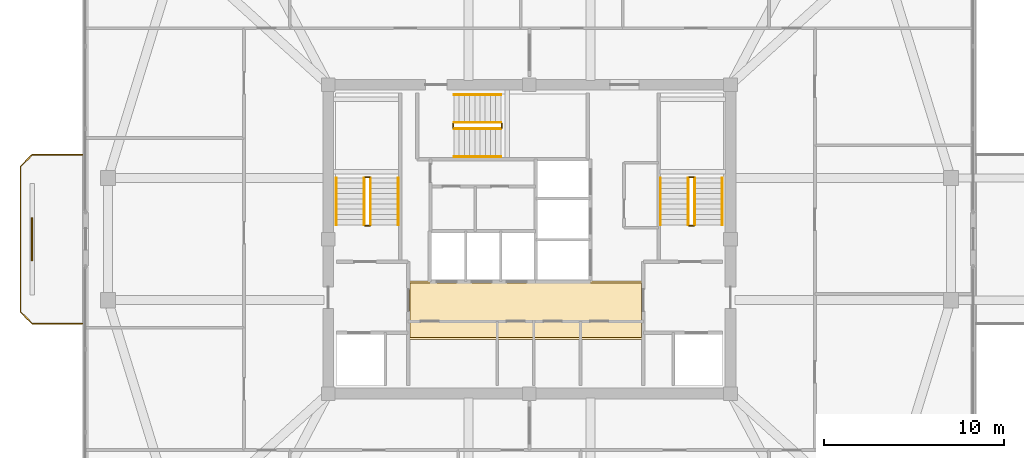
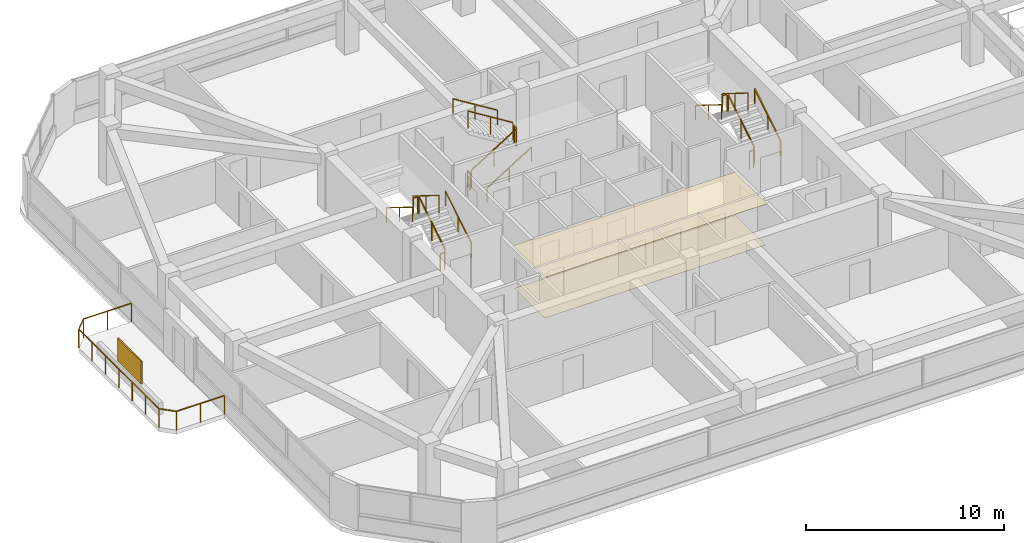
# One storey, part 13 of 14: 19 railings, 2 coverings, 1 shading device.
"""IFC4 building model written with IfcOpenShell, lengths in metres."""

from ifc_helpers import new_model, si_unit, derived_unit, direction, frame, origin, origin_2d, place, context, subcontext, project, spatial, polyline, rectangle, outline, extrude, material, layer, layer_set, type_object, element, save


model = new_model("IFC4")

# Units and contexts
model_context = context("Model", 3, precision=1e-05, world=origin(), true_north=direction((0.0, 1.0)))
body_context = subcontext(model_context, "Body", "Model", "MODEL_VIEW")
ifc_project = project(units=[si_unit("LENGTHUNIT", "METRE"), si_unit("AREAUNIT", "SQUARE_METRE"), si_unit("VOLUMEUNIT", "CUBIC_METRE"), si_unit("PLANEANGLEUNIT", "RADIAN"), si_unit("MASSUNIT", "GRAM", prefix="KILO"), derived_unit("THERMALTRANSMITTANCEUNIT", [(si_unit("POWERUNIT", "WATT"), 1), (si_unit("LENGTHUNIT", "METRE"), -2), (si_unit("THERMODYNAMICTEMPERATUREUNIT", "KELVIN"), -1)])], contexts=[model_context])

# Site, building, storey
site_placement = place(None, origin())
site = spatial("IfcSite", under=ifc_project, at=site_placement, CompositionType="ELEMENT")
building_placement = place(site_placement, origin())
building = spatial("IfcBuilding", under=site, at=building_placement, Name="Koralith Skygarden Medical Center", CompositionType="ELEMENT")
storey_placement = place(building_placement, frame((0.0, 0.0, 257.219970703125)))
storey = spatial("IfcBuildingStorey", under=building, at=storey_placement, Name="L66", CompositionType="ELEMENT", Elevation=257.219970703125)

# Covering
ifc_material_1 = material(Name="Acoustic Mineral Tile")
ifc_layer_1 = layer(ifc_material_1, 0.02001953125)
ifc_layer_set_1 = layer_set([ifc_layer_1], Name="Acoustic Mineral Tile")
covering_type_1 = type_object("IfcCoveringType", Name="Acoustic Hygienic Mineral Ceiling 20", PredefinedType="CEILING", material=ifc_layer_set_1)
covering_1_placement = place(storey_placement, frame((0.0, 0.0, 2.5849609375)))
element("IfcCovering", 1, at=covering_1_placement, inside=storey, type_object=covering_type_1, Name="L66 Core Lobby Acoustic Ceiling", PredefinedType="CEILING", context=body_context, shape_type="SweptSolid", body=[
    extrude(outline(polyline([(30.25, 20.320068359375), (43.35009765625, 20.320068359375), (43.35009765625, 23.56005859375), (30.25, 23.56005859375), (30.25, 20.320068359375)])), origin(), (0.0, 0.0, 1.0), 0.02001953125),
])

# Railing
ifc_material_2 = material(Name="Steel ASTM A500 Grade C", Category="steel")
railing_type_1 = type_object("IfcRailingType", Name="Outdoor Terrace & Balcony Safety Guardrail 1180", PredefinedType="GUARDRAIL", material=ifc_material_2)
railing_1_placement = place(storey_placement, frame((12.10009765625, 21.199951171875, 0.0)))
element("IfcRailing", 2, at=railing_1_placement, inside=storey, type_object=railing_type_1, Name="L66 W Balcony Perimeter Guardrail", PredefinedType="GUARDRAIL", context=body_context, shape_type="SweptSolid", body=[
    extrude(rectangle(XDim=0.050048828125, YDim=0.050048828125, at=origin_2d()), frame((-0.001953125, 0.0, 1.15478515625), z_axis=(-1.0, 0.0, 0.0), x_axis=(0.0, -1.0, 0.0)), (0.0, 0.0, 1.0), 2.796142578125),
    extrude(rectangle(XDim=0.050048828125, YDim=0.050048828125, at=origin_2d()), frame((-2.801513671875, 0.00146484375, 1.15478515625), z_axis=(-0.707106781187, 0.707106781187, 0.0), x_axis=(-0.707106781187, -0.707106781187, 0.0)), (0.0, 0.0, 1.0), 0.91552734375),
    extrude(rectangle(XDim=0.050048828125, YDim=0.050048828125, at=origin_2d()), frame((-3.4501953125, 0.652099609375, 1.15478515625), z_axis=(0.0, 1.0, 0.0), x_axis=(-1.0, 0.0, 0.0)), (0.0, 0.0, 1.0), 8.095947265625),
    extrude(rectangle(XDim=0.050048828125, YDim=0.050048828125, at=origin_2d()), frame((-3.44873046875, 8.75146484375, 1.15478515625), z_axis=(0.707106781187, 0.707106781187, 0.0), x_axis=(-0.707106781187, 0.707106781187, 0.0)), (0.0, 0.0, 1.0), 0.91552734375),
    extrude(rectangle(XDim=0.050048828125, YDim=0.050048828125, at=origin_2d()), frame((-2.798095703125, 9.400146484375, 1.15478515625), z_axis=(1.0, 0.0, 0.0), x_axis=(0.0, 1.0, 0.0)), (0.0, 0.0, 1.0), 2.796142578125),
    extrude(rectangle(XDim=0.0419921875, YDim=0.0419921875, at=origin_2d()), origin(), (0.0, 0.0, 1.0), 1.1279296875),
    extrude(rectangle(XDim=0.0419921875, YDim=0.0419921875, at=origin_2d()), frame((-1.39990234375, 0.0, 0.0)), (0.0, 0.0, 1.0), 1.1279296875),
    extrude(rectangle(XDim=0.0419921875, YDim=0.0419921875, at=origin_2d()), frame((-2.800048828125, 0.0, 0.0)), (0.0, 0.0, 1.0), 1.1279296875),
    extrude(rectangle(XDim=0.0419921875, YDim=0.0419921875, at=origin_2d()), frame((-3.4501953125, 0.650146484375, 0.0)), (0.0, 0.0, 1.0), 1.1279296875),
    extrude(rectangle(XDim=0.0419921875, YDim=0.0419921875, at=origin_2d()), frame((-3.4501953125, 2.0, 0.0)), (0.0, 0.0, 1.0), 1.1279296875),
    extrude(rectangle(XDim=0.0419921875, YDim=0.0419921875, at=origin_2d()), frame((-3.4501953125, 3.35009765625, 0.0)), (0.0, 0.0, 1.0), 1.1279296875),
    extrude(rectangle(XDim=0.0419921875, YDim=0.0419921875, at=origin_2d()), frame((-3.4501953125, 4.7001953125, 0.0)), (0.0, 0.0, 1.0), 1.1279296875),
    extrude(rectangle(XDim=0.0419921875, YDim=0.0419921875, at=origin_2d()), frame((-3.4501953125, 6.050048828125, 0.0)), (0.0, 0.0, 1.0), 1.1279296875),
    extrude(rectangle(XDim=0.0419921875, YDim=0.0419921875, at=origin_2d()), frame((-3.4501953125, 7.39990234375, 0.0)), (0.0, 0.0, 1.0), 1.1279296875),
    extrude(rectangle(XDim=0.0419921875, YDim=0.0419921875, at=origin_2d()), frame((-3.4501953125, 8.75, 0.0)), (0.0, 0.0, 1.0), 1.1279296875),
    extrude(rectangle(XDim=0.0419921875, YDim=0.0419921875, at=origin_2d()), frame((-2.800048828125, 9.400146484375, 0.0)), (0.0, 0.0, 1.0), 1.1279296875),
    extrude(rectangle(XDim=0.0419921875, YDim=0.0419921875, at=origin_2d()), frame((-1.39990234375, 9.400146484375, 0.0)), (0.0, 0.0, 1.0), 1.1279296875),
    extrude(rectangle(XDim=0.0419921875, YDim=0.0419921875, at=origin_2d()), frame((0.0, 9.400146484375, 0.0)), (0.0, 0.0, 1.0), 1.1279296875),
])

# Shading device
ifc_material_3 = material(Name="Aluminium 6063-T6", Category="aluminium")
ifc_layer_2 = layer(ifc_material_3, 0.080078125)
ifc_layer_set_2 = layer_set([ifc_layer_2], Name="Aluminium 6063-T6")
shading_device_type = type_object("IfcShadingDeviceType", Name="Perforated Biophilic Balcony Trellis Screen", PredefinedType="USERDEFINED", material=ifc_layer_set_2)
shading_device_placement = place(storey_placement, frame((9.300048828125, 25.89990234375, 0.719970703125), z_axis=(0.0, 0.0, 1.0), x_axis=(0.0, 1.0, 0.0)))
element("IfcShadingDevice", 3, at=shading_device_placement, inside=storey, type_object=shading_device_type, Name="L66 W Biophilic Balcony Trellis Screen", ObjectType="HURRICANE SCREEN", PredefinedType="USERDEFINED", context=body_context, shape_type="SweptSolid", body=[
    extrude(rectangle(XDim=2.39990234375, YDim=0.080078125, at=origin_2d()), origin(), (0.0, 0.0, 1.0), 1.39990234375),
])

# Covering
ifc_material_4 = material(Name="Medical Terrazzo Flooring")
ifc_layer_3 = layer(ifc_material_4, 0.014892578125)
ifc_layer_set_3 = layer_set([ifc_layer_3], Name="Medical Terrazzo Flooring")
covering_type_2 = type_object("IfcCoveringType", Name="Seamless Antimicrobial Terrazzo Flooring 15", PredefinedType="FLOORING", material=ifc_layer_set_3)
covering_2_placement = place(storey_placement, origin())
element("IfcCovering", 4, at=covering_2_placement, inside=storey, type_object=covering_type_2, Name="L66 Core Lobby Terrazzo Flooring", PredefinedType="FLOORING", context=body_context, shape_type="SweptSolid", body=[
    extrude(outline(polyline([(30.35009765625, 20.419921875), (43.25, 20.419921875), (43.25, 23.4599609375), (30.35009765625, 23.4599609375), (30.35009765625, 20.419921875)])), origin(), (0.0, 0.0, 1.0), 0.01513671875),
])

# Railings
railing_type_2 = type_object("IfcRailingType", Name="Stair Flight Tubular Handrail 920", PredefinedType="HANDRAIL", material=ifc_material_2)
railing_2_placement = place(storey_placement, frame((29.699951171875, 26.699951171875, 0.179931640625)))
element("IfcRailing", 5, at=railing_2_placement, inside=storey, type_object=railing_type_2, Name="L66 ST1 stair handrail 1", PredefinedType="HANDRAIL", context=body_context, shape_type="SweptSolid", body=[
    extrude(rectangle(XDim=0.050048828125, YDim=0.050048828125, at=origin_2d()), frame((0.0, 0.001708984375, 0.89599609375), z_axis=(0.0, 0.849632798774, 0.527374731332), x_axis=(-1.0, 0.0, 0.0)), (0.0, 0.0, 1.0), 3.068115234375),
    extrude(rectangle(XDim=0.0419921875, YDim=0.0419921875, at=origin_2d()), origin(), (0.0, 0.0, 1.0), 0.867919921875),
    extrude(rectangle(XDim=0.0419921875, YDim=0.0419921875, at=origin_2d()), frame((0.0, 1.30517578125, 0.81005859375)), (0.0, 0.0, 1.0), 0.867919921875),
    extrude(rectangle(XDim=0.0419921875, YDim=0.0419921875, at=origin_2d()), frame((0.0, 2.610107421875, 1.6201171875)), (0.0, 0.0, 1.0), 0.867919921875),
])
railing_3_placement = place(storey_placement, frame((26.25, 29.31005859375, 1.97998046875)))
element("IfcRailing", 6, at=railing_3_placement, inside=storey, type_object=railing_type_2, Name="L66 ST1 stair handrail 2", PredefinedType="HANDRAIL", context=body_context, shape_type="SweptSolid", body=[
    extrude(rectangle(XDim=0.050048828125, YDim=0.050048828125, at=origin_2d()), frame((0.0, -0.001708984375, 0.89599609375), z_axis=(0.0, -0.849632798774, 0.527374731332), x_axis=(1.0, 0.0, 0.0)), (0.0, 0.0, 1.0), 3.068115234375),
    extrude(rectangle(XDim=0.0419921875, YDim=0.0419921875, at=origin_2d()), origin(), (0.0, 0.0, 1.0), 0.867919921875),
    extrude(rectangle(XDim=0.0419921875, YDim=0.0419921875, at=origin_2d()), frame((0.0, -1.30517578125, 0.81005859375)), (0.0, 0.0, 1.0), 0.867919921875),
    extrude(rectangle(XDim=0.0419921875, YDim=0.0419921875, at=origin_2d()), frame((0.0, -2.610107421875, 1.6201171875)), (0.0, 0.0, 1.0), 0.867919921875),
])
railing_4_placement = place(storey_placement, frame((47.75, 26.699951171875, 0.179931640625)))
element("IfcRailing", 7, at=railing_4_placement, inside=storey, type_object=railing_type_2, Name="L66 ST2 stair handrail 1", PredefinedType="HANDRAIL", context=body_context, shape_type="SweptSolid", body=[
    extrude(rectangle(XDim=0.050048828125, YDim=0.050048828125, at=origin_2d()), frame((0.0, 0.001708984375, 0.89599609375), z_axis=(0.0, 0.849632798774, 0.527374731332), x_axis=(-1.0, 0.0, 0.0)), (0.0, 0.0, 1.0), 3.068115234375),
    extrude(rectangle(XDim=0.0419921875, YDim=0.0419921875, at=origin_2d()), origin(), (0.0, 0.0, 1.0), 0.867919921875),
    extrude(rectangle(XDim=0.0419921875, YDim=0.0419921875, at=origin_2d()), frame((0.0, 1.30517578125, 0.81005859375)), (0.0, 0.0, 1.0), 0.867919921875),
    extrude(rectangle(XDim=0.0419921875, YDim=0.0419921875, at=origin_2d()), frame((0.0, 2.610107421875, 1.6201171875)), (0.0, 0.0, 1.0), 0.867919921875),
])
railing_5_placement = place(storey_placement, frame((44.300048828125, 29.31005859375, 1.97998046875)))
element("IfcRailing", 8, at=railing_5_placement, inside=storey, type_object=railing_type_2, Name="L66 ST2 stair handrail 2", PredefinedType="HANDRAIL", context=body_context, shape_type="SweptSolid", body=[
    extrude(rectangle(XDim=0.050048828125, YDim=0.050048828125, at=origin_2d()), frame((0.0, -0.001708984375, 0.89599609375), z_axis=(0.0, -0.849632798774, 0.527374731332), x_axis=(1.0, 0.0, 0.0)), (0.0, 0.0, 1.0), 3.068115234375),
    extrude(rectangle(XDim=0.0419921875, YDim=0.0419921875, at=origin_2d()), origin(), (0.0, 0.0, 1.0), 0.867919921875),
    extrude(rectangle(XDim=0.0419921875, YDim=0.0419921875, at=origin_2d()), frame((0.0, -1.30517578125, 0.81005859375)), (0.0, 0.0, 1.0), 0.867919921875),
    extrude(rectangle(XDim=0.0419921875, YDim=0.0419921875, at=origin_2d()), frame((0.0, -2.610107421875, 1.6201171875)), (0.0, 0.0, 1.0), 0.867919921875),
])
railing_6_placement = place(storey_placement, frame((32.800048828125, 30.5, 0.179931640625)))
element("IfcRailing", 9, at=railing_6_placement, inside=storey, type_object=railing_type_2, Name="L66 ST3 stair handrail 1", PredefinedType="HANDRAIL", context=body_context, shape_type="SweptSolid", body=[
    extrude(rectangle(XDim=0.050048828125, YDim=0.050048828125, at=origin_2d()), frame((0.001708984375, 0.0, 0.89599609375), z_axis=(0.849610693518, 0.0, 0.52741034258), x_axis=(0.0, 1.0, 0.0)), (0.0, 0.0, 1.0), 3.06787109375),
    extrude(rectangle(XDim=0.0419921875, YDim=0.0419921875, at=origin_2d()), origin(), (0.0, 0.0, 1.0), 0.867919921875),
    extrude(rectangle(XDim=0.0419921875, YDim=0.0419921875, at=origin_2d()), frame((1.304931640625, 0.0, 0.81005859375)), (0.0, 0.0, 1.0), 0.867919921875),
    extrude(rectangle(XDim=0.0419921875, YDim=0.0419921875, at=origin_2d()), frame((2.60986328125, 0.0, 1.6201171875)), (0.0, 0.0, 1.0), 0.867919921875),
])
railing_7_placement = place(storey_placement, frame((35.409912109375, 33.949951171875, 1.97998046875)))
element("IfcRailing", 10, at=railing_7_placement, inside=storey, type_object=railing_type_2, Name="L66 ST3 stair handrail 2", PredefinedType="HANDRAIL", context=body_context, shape_type="SweptSolid", body=[
    extrude(rectangle(XDim=0.050048828125, YDim=0.050048828125, at=origin_2d()), frame((-0.001708984375, 0.0, 0.89599609375), z_axis=(-0.849610693518, 0.0, 0.52741034258), x_axis=(0.0, -1.0, 0.0)), (0.0, 0.0, 1.0), 3.06787109375),
    extrude(rectangle(XDim=0.0419921875, YDim=0.0419921875, at=origin_2d()), origin(), (0.0, 0.0, 1.0), 0.867919921875),
    extrude(rectangle(XDim=0.0419921875, YDim=0.0419921875, at=origin_2d()), frame((-1.304931640625, 0.0, 0.81005859375)), (0.0, 0.0, 1.0), 0.867919921875),
    extrude(rectangle(XDim=0.0419921875, YDim=0.0419921875, at=origin_2d()), frame((-2.60986328125, 0.0, 1.6201171875)), (0.0, 0.0, 1.0), 0.867919921875),
])
railing_type_3 = type_object("IfcRailingType", Name="Stair Well Safety Guardrail 1100", PredefinedType="GUARDRAIL", material=ifc_material_2)
railing_8_placement = place(storey_placement, frame((28.14990234375, 26.699951171875, 0.179931640625)))
element("IfcRailing", 11, at=railing_8_placement, inside=storey, type_object=railing_type_3, Name="L66 ST1 stair guard 1", PredefinedType="GUARDRAIL", context=body_context, shape_type="SweptSolid", body=[
    extrude(rectangle(XDim=0.050048828125, YDim=0.050048828125, at=origin_2d()), frame((0.0, 0.001708984375, 1.076171875), z_axis=(0.0, 0.849632798774, 0.527374731332), x_axis=(-1.0, 0.0, 0.0)), (0.0, 0.0, 1.0), 3.068115234375),
    extrude(rectangle(XDim=0.0419921875, YDim=0.0419921875, at=origin_2d()), origin(), (0.0, 0.0, 1.0), 1.048095703125),
    extrude(rectangle(XDim=0.0419921875, YDim=0.0419921875, at=origin_2d()), frame((0.0, 1.30517578125, 0.81005859375)), (0.0, 0.0, 1.0), 1.048095703125),
    extrude(rectangle(XDim=0.0419921875, YDim=0.0419921875, at=origin_2d()), frame((0.0, 2.610107421875, 1.6201171875)), (0.0, 0.0, 1.0), 1.048095703125),
])
railing_9_placement = place(storey_placement, frame((28.10009765625, 29.360107421875, 1.800048828125)))
element("IfcRailing", 12, at=railing_9_placement, inside=storey, type_object=railing_type_3, Name="L66 ST1 stair guard 2", PredefinedType="GUARDRAIL", context=body_context, shape_type="SweptSolid", body=[
    extrude(rectangle(XDim=0.050048828125, YDim=0.050048828125, at=origin_2d()), frame((-0.001953125, 0.0, 1.0751953125), z_axis=(-1.0, 0.0, 0.0), x_axis=(0.0, -1.0, 0.0)), (0.0, 0.0, 1.0), 0.24609375),
    extrude(rectangle(XDim=0.0419921875, YDim=0.0419921875, at=origin_2d()), origin(), (0.0, 0.0, 1.0), 1.048095703125),
    extrude(rectangle(XDim=0.0419921875, YDim=0.0419921875, at=origin_2d()), frame((-0.25, 0.0, 0.0)), (0.0, 0.0, 1.0), 1.048095703125),
])
railing_10_placement = place(storey_placement, frame((27.800048828125, 29.31005859375, 1.97998046875)))
element("IfcRailing", 13, at=railing_10_placement, inside=storey, type_object=railing_type_3, Name="L66 ST1 stair guard 3", PredefinedType="GUARDRAIL", context=body_context, shape_type="SweptSolid", body=[
    extrude(rectangle(XDim=0.050048828125, YDim=0.050048828125, at=origin_2d()), frame((0.0, -0.001708984375, 1.076171875), z_axis=(0.0, -0.849632798774, 0.527374731332), x_axis=(1.0, 0.0, 0.0)), (0.0, 0.0, 1.0), 3.068115234375),
    extrude(rectangle(XDim=0.0419921875, YDim=0.0419921875, at=origin_2d()), origin(), (0.0, 0.0, 1.0), 1.048095703125),
    extrude(rectangle(XDim=0.0419921875, YDim=0.0419921875, at=origin_2d()), frame((0.0, -1.30517578125, 0.81005859375)), (0.0, 0.0, 1.0), 1.048095703125),
    extrude(rectangle(XDim=0.0419921875, YDim=0.0419921875, at=origin_2d()), frame((0.0, -2.610107421875, 1.6201171875)), (0.0, 0.0, 1.0), 1.048095703125),
])
railing_11_placement = place(storey_placement, frame((28.10009765625, 26.64990234375, 0.0)))
element("IfcRailing", 14, at=railing_11_placement, inside=storey, type_object=railing_type_3, Name="L66 ST1 stair guard 4", PredefinedType="GUARDRAIL", context=body_context, shape_type="SweptSolid", body=[
    extrude(rectangle(XDim=0.050048828125, YDim=0.050048828125, at=origin_2d()), frame((-0.001953125, 0.0, 1.0751953125), z_axis=(-1.0, 0.0, 0.0), x_axis=(0.0, -1.0, 0.0)), (0.0, 0.0, 1.0), 0.24609375),
    extrude(rectangle(XDim=0.0419921875, YDim=0.0419921875, at=origin_2d()), origin(), (0.0, 0.0, 1.0), 1.048095703125),
    extrude(rectangle(XDim=0.0419921875, YDim=0.0419921875, at=origin_2d()), frame((-0.25, 0.0, 0.0)), (0.0, 0.0, 1.0), 1.048095703125),
])
railing_12_placement = place(storey_placement, frame((46.199951171875, 26.699951171875, 0.179931640625)))
element("IfcRailing", 15, at=railing_12_placement, inside=storey, type_object=railing_type_3, Name="L66 ST2 stair guard 1", PredefinedType="GUARDRAIL", context=body_context, shape_type="SweptSolid", body=[
    extrude(rectangle(XDim=0.050048828125, YDim=0.050048828125, at=origin_2d()), frame((0.0, 0.001708984375, 1.076171875), z_axis=(0.0, 0.849632798774, 0.527374731332), x_axis=(-1.0, 0.0, 0.0)), (0.0, 0.0, 1.0), 3.068115234375),
    extrude(rectangle(XDim=0.0419921875, YDim=0.0419921875, at=origin_2d()), origin(), (0.0, 0.0, 1.0), 1.048095703125),
    extrude(rectangle(XDim=0.0419921875, YDim=0.0419921875, at=origin_2d()), frame((0.0, 1.30517578125, 0.81005859375)), (0.0, 0.0, 1.0), 1.048095703125),
    extrude(rectangle(XDim=0.0419921875, YDim=0.0419921875, at=origin_2d()), frame((0.0, 2.610107421875, 1.6201171875)), (0.0, 0.0, 1.0), 1.048095703125),
])
railing_13_placement = place(storey_placement, frame((46.14990234375, 29.360107421875, 1.800048828125)))
element("IfcRailing", 16, at=railing_13_placement, inside=storey, type_object=railing_type_3, Name="L66 ST2 stair guard 2", PredefinedType="GUARDRAIL", context=body_context, shape_type="SweptSolid", body=[
    extrude(rectangle(XDim=0.050048828125, YDim=0.050048828125, at=origin_2d()), frame((-0.001953125, 0.0, 1.0751953125), z_axis=(-1.0, 0.0, 0.0), x_axis=(0.0, -1.0, 0.0)), (0.0, 0.0, 1.0), 0.24609375),
    extrude(rectangle(XDim=0.0419921875, YDim=0.0419921875, at=origin_2d()), origin(), (0.0, 0.0, 1.0), 1.048095703125),
    extrude(rectangle(XDim=0.0419921875, YDim=0.0419921875, at=origin_2d()), frame((-0.25, 0.0, 0.0)), (0.0, 0.0, 1.0), 1.048095703125),
])
railing_14_placement = place(storey_placement, frame((45.85009765625, 29.31005859375, 1.97998046875)))
element("IfcRailing", 17, at=railing_14_placement, inside=storey, type_object=railing_type_3, Name="L66 ST2 stair guard 3", PredefinedType="GUARDRAIL", context=body_context, shape_type="SweptSolid", body=[
    extrude(rectangle(XDim=0.050048828125, YDim=0.050048828125, at=origin_2d()), frame((0.0, -0.001708984375, 1.076171875), z_axis=(0.0, -0.849632798774, 0.527374731332), x_axis=(1.0, 0.0, 0.0)), (0.0, 0.0, 1.0), 3.068115234375),
    extrude(rectangle(XDim=0.0419921875, YDim=0.0419921875, at=origin_2d()), origin(), (0.0, 0.0, 1.0), 1.048095703125),
    extrude(rectangle(XDim=0.0419921875, YDim=0.0419921875, at=origin_2d()), frame((0.0, -1.30517578125, 0.81005859375)), (0.0, 0.0, 1.0), 1.048095703125),
    extrude(rectangle(XDim=0.0419921875, YDim=0.0419921875, at=origin_2d()), frame((0.0, -2.610107421875, 1.6201171875)), (0.0, 0.0, 1.0), 1.048095703125),
])
railing_15_placement = place(storey_placement, frame((46.14990234375, 26.64990234375, 0.0)))
element("IfcRailing", 18, at=railing_15_placement, inside=storey, type_object=railing_type_3, Name="L66 ST2 stair guard 4", PredefinedType="GUARDRAIL", context=body_context, shape_type="SweptSolid", body=[
    extrude(rectangle(XDim=0.050048828125, YDim=0.050048828125, at=origin_2d()), frame((-0.001953125, 0.0, 1.0751953125), z_axis=(-1.0, 0.0, 0.0), x_axis=(0.0, -1.0, 0.0)), (0.0, 0.0, 1.0), 0.24609375),
    extrude(rectangle(XDim=0.0419921875, YDim=0.0419921875, at=origin_2d()), origin(), (0.0, 0.0, 1.0), 1.048095703125),
    extrude(rectangle(XDim=0.0419921875, YDim=0.0419921875, at=origin_2d()), frame((-0.25, 0.0, 0.0)), (0.0, 0.0, 1.0), 1.048095703125),
])
railing_16_placement = place(storey_placement, frame((32.800048828125, 32.050048828125, 0.179931640625)))
element("IfcRailing", 19, at=railing_16_placement, inside=storey, type_object=railing_type_3, Name="L66 ST3 stair guard 1", PredefinedType="GUARDRAIL", context=body_context, shape_type="SweptSolid", body=[
    extrude(rectangle(XDim=0.050048828125, YDim=0.050048828125, at=origin_2d()), frame((0.001708984375, 0.0, 1.076171875), z_axis=(0.849610693518, 0.0, 0.52741034258), x_axis=(0.0, 1.0, 0.0)), (0.0, 0.0, 1.0), 3.06787109375),
    extrude(rectangle(XDim=0.0419921875, YDim=0.0419921875, at=origin_2d()), origin(), (0.0, 0.0, 1.0), 1.048095703125),
    extrude(rectangle(XDim=0.0419921875, YDim=0.0419921875, at=origin_2d()), frame((1.304931640625, 0.0, 0.81005859375)), (0.0, 0.0, 1.0), 1.048095703125),
    extrude(rectangle(XDim=0.0419921875, YDim=0.0419921875, at=origin_2d()), frame((2.60986328125, 0.0, 1.6201171875)), (0.0, 0.0, 1.0), 1.048095703125),
])
railing_17_placement = place(storey_placement, frame((35.4599609375, 32.10009765625, 1.800048828125)))
element("IfcRailing", 20, at=railing_17_placement, inside=storey, type_object=railing_type_3, Name="L66 ST3 stair guard 2", PredefinedType="GUARDRAIL", context=body_context, shape_type="SweptSolid", body=[
    extrude(rectangle(XDim=0.050048828125, YDim=0.050048828125, at=origin_2d()), frame((0.0, 0.001953125, 1.0751953125), z_axis=(0.0, 1.0, 0.0), x_axis=(-1.0, 0.0, 0.0)), (0.0, 0.0, 1.0), 0.24609375),
    extrude(rectangle(XDim=0.0419921875, YDim=0.0419921875, at=origin_2d()), origin(), (0.0, 0.0, 1.0), 1.048095703125),
    extrude(rectangle(XDim=0.0419921875, YDim=0.0419921875, at=origin_2d()), frame((0.0, 0.25, 0.0)), (0.0, 0.0, 1.0), 1.048095703125),
])
railing_18_placement = place(storey_placement, frame((35.409912109375, 32.39990234375, 1.97998046875)))
element("IfcRailing", 21, at=railing_18_placement, inside=storey, type_object=railing_type_3, Name="L66 ST3 stair guard 3", PredefinedType="GUARDRAIL", context=body_context, shape_type="SweptSolid", body=[
    extrude(rectangle(XDim=0.050048828125, YDim=0.050048828125, at=origin_2d()), frame((-0.001708984375, 0.0, 1.076171875), z_axis=(-0.849610693518, 0.0, 0.52741034258), x_axis=(0.0, -1.0, 0.0)), (0.0, 0.0, 1.0), 3.06787109375),
    extrude(rectangle(XDim=0.0419921875, YDim=0.0419921875, at=origin_2d()), origin(), (0.0, 0.0, 1.0), 1.048095703125),
    extrude(rectangle(XDim=0.0419921875, YDim=0.0419921875, at=origin_2d()), frame((-1.304931640625, 0.0, 0.81005859375)), (0.0, 0.0, 1.0), 1.048095703125),
    extrude(rectangle(XDim=0.0419921875, YDim=0.0419921875, at=origin_2d()), frame((-2.60986328125, 0.0, 1.6201171875)), (0.0, 0.0, 1.0), 1.048095703125),
])
railing_19_placement = place(storey_placement, frame((32.75, 32.10009765625, 0.0)))
element("IfcRailing", 22, at=railing_19_placement, inside=storey, type_object=railing_type_3, Name="L66 ST3 stair guard 4", PredefinedType="GUARDRAIL", context=body_context, shape_type="SweptSolid", body=[
    extrude(rectangle(XDim=0.050048828125, YDim=0.050048828125, at=origin_2d()), frame((0.0, 0.001953125, 1.0751953125), z_axis=(0.0, 1.0, 0.0), x_axis=(-1.0, 0.0, 0.0)), (0.0, 0.0, 1.0), 0.24609375),
    extrude(rectangle(XDim=0.0419921875, YDim=0.0419921875, at=origin_2d()), origin(), (0.0, 0.0, 1.0), 1.048095703125),
    extrude(rectangle(XDim=0.0419921875, YDim=0.0419921875, at=origin_2d()), frame((0.0, 0.25, 0.0)), (0.0, 0.0, 1.0), 1.048095703125),
])

save(model, "model.ifc")
